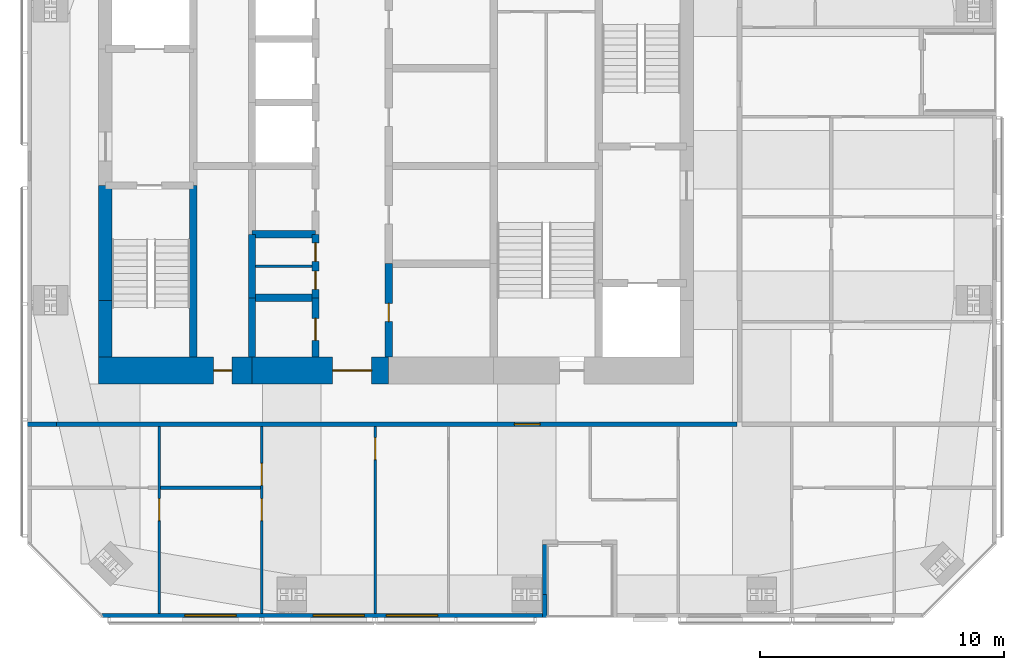
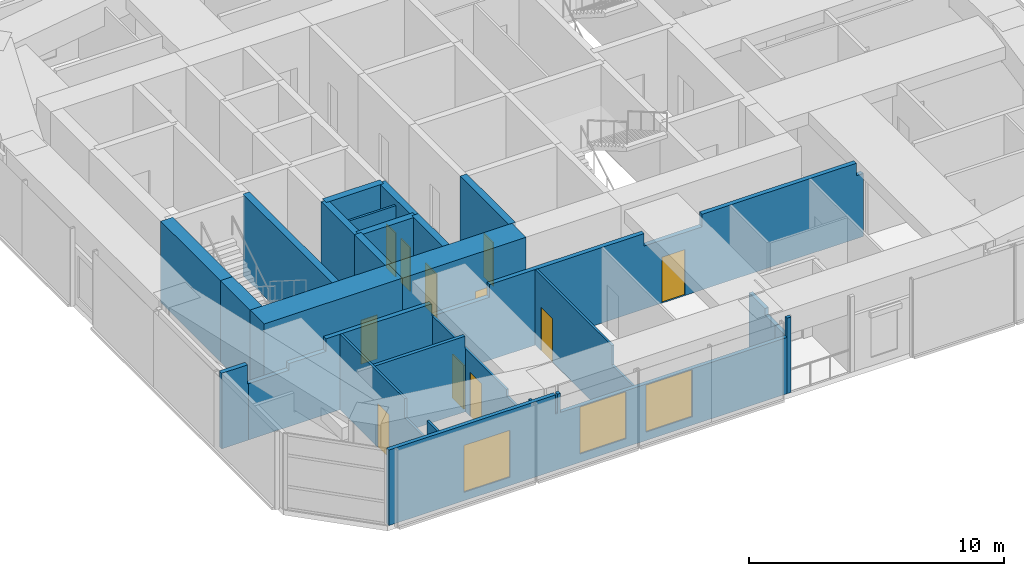
# One storey, part 14 of 20: 22 walls, 11 doors, 3 windows, 14 openings.
"""IFC4 building model written with IfcOpenShell, lengths in metres."""

from ifc_helpers import new_model, si_unit, direction, frame, frame_2d, origin, place, context, subcontext, project, spatial, polyline, rectangle, outline, extrude, material, layer, layer_set, constituent, constituent_set, type_object, element, fill, save


model = new_model("IFC4")

# Units and contexts
model_context = context("Model", 3, precision=1e-05, world=origin(), true_north=direction((0.0, 1.0)))
body_context = subcontext(model_context, "Body", "Model", "MODEL_VIEW")
ifc_project = project(units=[si_unit("LENGTHUNIT", "METRE"), si_unit("AREAUNIT", "SQUARE_METRE"), si_unit("VOLUMEUNIT", "CUBIC_METRE"), si_unit("PLANEANGLEUNIT", "RADIAN"), si_unit("MASSUNIT", "GRAM", prefix="KILO")], contexts=[model_context])

# Site, building, storey
site_placement = place(None, origin())
site = spatial("IfcSite", under=ifc_project, at=site_placement, CompositionType="ELEMENT")
building_placement = place(site_placement, origin())
building = spatial("IfcBuilding", under=site, at=building_placement, Name="Jalousie Tower", CompositionType="ELEMENT")
storey_placement = place(building_placement, frame((0.0, 0.0, 263.85009765625)))
storey = spatial("IfcBuildingStorey", under=building, at=storey_placement, Name="L72", CompositionType="ELEMENT", Elevation=263.85009765625)

# Wall
ifc_material_1 = material(Name="Concrete block ASTM C90", Category="concrete")
ifc_constituent_1 = constituent(ifc_material_1, Name="Body")
ifc_material_2 = material(Name="Render")
ifc_constituent_2 = constituent(ifc_material_2, Name="Finish")
ifc_constituent_set_1 = constituent_set(constituents=[ifc_constituent_1, ifc_constituent_2])
wall_type_1 = type_object("IfcWallType", Name="BATHROOM WALL 150", PredefinedType="PLUMBINGWALL", material=ifc_constituent_set_1)
wall_1_placement = place(storey_placement, frame((22.25, 5.324951171875, 0.0), z_axis=(0.0, 0.0, 1.0), x_axis=(1.0, 0.0, 0.0)))
element("IfcWall", 1, at=wall_1_placement, inside=storey, type_object=wall_type_1, Name="Bathroom Wall 150 L72", PredefinedType="PLUMBINGWALL", context=body_context, shape_type="SweptSolid", body=[
    extrude(outline(polyline([(0.0, 0.0), (4.10009765625, 0.0), (4.10009765625, 3.619873046875), (4.10009765625, 3.02001953125), (4.090087890625, 3.02001953125), (4.090087890625, 3.619873046875), (0.0, 3.619873046875), (0.0, 0.0)])), frame((0.0, 0.074951171875, 0.0), z_axis=(0.0, -1.0, 0.0), x_axis=(1.0, 0.0, 0.0)), (0.0, 0.0, 1.0), 0.14990234375),
])

# Wall, opening, door
ifc_material_3 = material(Name="Concrete f'c 120 MPa", Category="concrete")
ifc_layer_1 = layer(ifc_material_3, 1.10009765625)
ifc_layer_set_1 = layer_set([ifc_layer_1], Name="Concrete f'c 120 MPa")
wall_type_2 = type_object("IfcWallType", Name="CORE WALL 1100", PredefinedType="SHEAR", material=ifc_layer_set_1)
wall_2_placement = place(storey_placement, frame((19.72509765625, 10.125, 0.0), z_axis=(0.0, 0.0, 1.0), x_axis=(1.0, 0.0, 0.0)))
wall_2 = element("IfcWall", 2, at=wall_2_placement, inside=storey, type_object=wall_type_2, Name="Core wall SA L72", PredefinedType="SHEAR", context=body_context, shape_type="SweptSolid", body=[
    extrude(rectangle(XDim=6.27490234375, YDim=1.10009765625, at=frame_2d((3.137451171875, 0.0))), origin(), (0.0, 0.0, 1.0), 3.89990234375),
])
opening_1_placement = place(wall_2_placement, frame((4.699951171875, 0.0, 0.0)))
opening_1 = element("IfcOpeningElement", 3, at=opening_1_placement, cuts=wall_2, Name="Opening D16", PredefinedType="OPENING", context=body_context, shape_type="SweptSolid", body=[
    extrude(rectangle(XDim=0.75, YDim=2.10009765625, at=frame_2d((0.375, 1.050048828125))), frame((0.0, 0.56005859375, 0.0), z_axis=(0.0, -1.0, 0.0), x_axis=(1.0, 0.0, 0.0)), (0.0, 0.0, 1.0), 1.1201171875),
])
ifc_material_4 = material(Name="Steel fire door", Category="steel")
door_type_1 = type_object("IfcDoorType", Name="RISER DOOR 750", OperationType="SINGLE_SWING_LEFT", PredefinedType="DOOR", material=ifc_material_4)
door_1_placement = place(opening_1_placement, origin())
door_1 = element("IfcDoor", 4, at=door_1_placement, inside=storey, type_object=door_type_1, Name="South riser door", OperationType="SINGLE_SWING_RIGHT", OverallHeight=2.10009765625, OverallWidth=0.75, PredefinedType="DOOR", context=body_context, shape_type="SweptSolid", body=[
    extrude(rectangle(XDim=0.75, YDim=2.10009765625, at=frame_2d((0.375, 1.050048828125))), frame((0.0, 0.02490234375, 0.0), z_axis=(0.0, -1.0, 0.0), x_axis=(1.0, 0.0, 0.0)), (0.0, 0.0, 1.0), 0.050048828125),
])
fill(opening_1, door_1)

wall_3_placement = place(storey_placement, frame((26.0, 10.125, 0.0), z_axis=(0.0, 0.0, 1.0), x_axis=(1.0, 0.0, 0.0)))
wall_3 = element("IfcWall", 5, at=wall_3_placement, inside=storey, type_object=wall_type_2, Name="Core wall SB L72", PredefinedType="SHEAR", context=body_context, shape_type="SweptSolid", body=[
    extrude(rectangle(XDim=5.60009765625, YDim=1.10009765625, at=frame_2d((2.800048828125, 0.0))), origin(), (0.0, 0.0, 1.0), 3.89990234375),
])
opening_2_placement = place(wall_3_placement, frame((3.300048828125, 0.0, 0.0)))
opening_2 = element("IfcOpeningElement", 6, at=opening_2_placement, cuts=wall_3, Name="Opening D15", PredefinedType="OPENING", context=body_context, shape_type="SweptSolid", body=[
    extrude(rectangle(XDim=1.60009765625, YDim=2.10009765625, at=frame_2d((0.800048828125, 1.050048828125))), frame((0.0, 0.56005859375, 0.0), z_axis=(0.0, -1.0, 0.0), x_axis=(1.0, 0.0, 0.0)), (0.0, 0.0, 1.0), 1.1201171875),
])
ifc_material_5 = material(Name="Steel fire door", Category="steel")
door_type_2 = type_object("IfcDoorType", Name="LIFT LOBBY DOOR 1600", OperationType="DOUBLE_DOOR_SINGLE_SWING", PredefinedType="DOOR", material=ifc_material_5)
door_2_placement = place(opening_2_placement, origin())
door_2 = element("IfcDoor", 7, at=door_2_placement, inside=storey, type_object=door_type_2, Name="Lift lobby south door", OperationType="DOUBLE_DOOR_SINGLE_SWING", OverallHeight=2.10009765625, OverallWidth=1.60009765625, PredefinedType="DOOR", context=body_context, shape_type="SweptSolid", body=[
    extrude(rectangle(XDim=1.60009765625, YDim=2.10009765625, at=frame_2d((0.800048828125, 1.050048828125))), frame((0.0, 0.02490234375, 0.0), z_axis=(0.0, -1.0, 0.0), x_axis=(1.0, 0.0, 0.0)), (0.0, 0.0, 1.0), 0.050048828125),
])
fill(opening_2, door_2)

# Walls
ifc_material_6 = material(Name="Concrete f'c 120 MPa", Category="concrete")
ifc_layer_2 = layer(ifc_material_6, 0.300048828125)
ifc_layer_set_2 = layer_set([ifc_layer_2], Name="Concrete f'c 120 MPa")
wall_type_3 = type_object("IfcWallType", Name="CORE WALL 300", PredefinedType="SHEAR", material=ifc_layer_set_2)
wall_4_placement = place(storey_placement, frame((23.60009765625, 10.675048828125, 0.0), z_axis=(0.0, 0.0, 1.0), x_axis=(0.0, 1.0, 0.0)))
element("IfcWall", 8, at=wall_4_placement, inside=storey, type_object=wall_type_3, Name="Core wall X23.6A L72", PredefinedType="SHEAR", context=body_context, shape_type="SweptSolid", body=[
    extrude(rectangle(XDim=7.02490234375, YDim=0.300048828125, at=frame_2d((3.512451171875, 0.0))), origin(), (0.0, 0.0, 1.0), 3.89990234375),
])
wall_5_placement = place(storey_placement, frame((26.0, 10.675048828125, 0.0), z_axis=(0.0, 0.0, 1.0), x_axis=(0.0, 1.0, 0.0)))
element("IfcWall", 9, at=wall_5_placement, inside=storey, type_object=wall_type_3, Name="Core wall X26A L72", PredefinedType="SHEAR", context=body_context, shape_type="SweptSolid", body=[
    extrude(rectangle(XDim=2.425048828125, YDim=0.300048828125, at=frame_2d((1.21240234375, 0.0))), origin(), (0.0, 0.0, 1.0), 3.89990234375),
])
wall_6_placement = place(storey_placement, frame((26.0, 13.10009765625, 0.0), z_axis=(0.0, 0.0, 1.0), x_axis=(0.0, 1.0, 0.0)))
element("IfcWall", 10, at=wall_6_placement, inside=storey, type_object=wall_type_3, Name="Core wall X26B L72", PredefinedType="SHEAR", context=body_context, shape_type="SweptSolid", body=[
    extrude(rectangle(XDim=2.599853515625, YDim=0.300048828125, at=frame_2d((1.2998046875, 0.0))), origin(), (0.0, 0.0, 1.0), 3.89990234375),
])

# Wall, opening, door
wall_7_placement = place(storey_placement, frame((28.60009765625, 10.675048828125, 0.0), z_axis=(0.0, 0.0, 1.0), x_axis=(0.0, 1.0, 0.0)))
wall_7 = element("IfcWall", 11, at=wall_7_placement, inside=storey, type_object=wall_type_3, Name="Core wall X28.6A L72", PredefinedType="SHEAR", context=body_context, shape_type="SweptSolid", body=[
    extrude(rectangle(XDim=2.425048828125, YDim=0.300048828125, at=frame_2d((1.21240234375, 0.0))), origin(), (0.0, 0.0, 1.0), 3.89990234375),
])
opening_3_placement = place(wall_7_placement, frame((0.6875, 0.0, 0.0)))
opening_3 = element("IfcOpeningElement", 12, at=opening_3_placement, cuts=wall_7, Name="Opening D24", PredefinedType="OPENING", context=body_context, shape_type="SweptSolid", body=[
    extrude(rectangle(XDim=0.89990234375, YDim=2.10009765625, at=frame_2d((0.449951171875, 1.050048828125))), frame((0.0, 0.159912109375, 0.0), z_axis=(0.0, -1.0, 0.0), x_axis=(1.0, 0.0, 0.0)), (0.0, 0.0, 1.0), 0.320068359375),
])
ifc_material_7 = material(Name="Steel fire door", Category="steel")
door_type_3 = type_object("IfcDoorType", Name="CORE ROOM DOOR 900", OperationType="SINGLE_SWING_LEFT", PredefinedType="DOOR", material=ifc_material_7)
door_3_placement = place(opening_3_placement, origin())
door_3 = element("IfcDoor", 13, at=door_3_placement, inside=storey, type_object=door_type_3, Name="Housekeeping store door", OperationType="SINGLE_SWING_RIGHT", OverallHeight=2.10009765625, OverallWidth=0.89990234375, PredefinedType="DOOR", context=body_context, shape_type="SweptSolid", body=[
    extrude(rectangle(XDim=0.89990234375, YDim=2.10009765625, at=frame_2d((0.449951171875, 1.050048828125))), frame((0.0, 0.02490234375, 0.0), z_axis=(0.0, -1.0, 0.0), x_axis=(1.0, 0.0, 0.0)), (0.0, 0.0, 1.0), 0.050048828125),
])
fill(opening_3, door_3)

# Wall, openings, doors
wall_8_placement = place(storey_placement, frame((28.60009765625, 13.10009765625, 0.0), z_axis=(0.0, 0.0, 1.0), x_axis=(0.0, 1.0, 0.0)))
wall_8 = element("IfcWall", 14, at=wall_8_placement, inside=storey, type_object=wall_type_3, Name="Core wall X28.6B L72", PredefinedType="SHEAR", context=body_context, shape_type="SweptSolid", body=[
    extrude(rectangle(XDim=2.599853515625, YDim=0.300048828125, at=frame_2d((1.2998046875, 0.0))), origin(), (0.0, 0.0, 1.0), 3.89990234375),
])
opening_4_placement = place(wall_8_placement, frame((0.35009765625, 0.0, 0.0)))
opening_4 = element("IfcOpeningElement", 15, at=opening_4_placement, cuts=wall_8, Name="Opening D27", PredefinedType="OPENING", context=body_context, shape_type="SweptSolid", body=[
    extrude(rectangle(XDim=0.75, YDim=2.10009765625, at=frame_2d((0.375, 1.050048828125))), frame((0.0, 0.159912109375, 0.0), z_axis=(0.0, -1.0, 0.0), x_axis=(1.0, 0.0, 0.0)), (0.0, 0.0, 1.0), 0.320068359375),
])
opening_5_placement = place(wall_8_placement, frame((1.5, 0.0, 0.0)))
opening_5 = element("IfcOpeningElement", 16, at=opening_5_placement, cuts=wall_8, Name="Opening D27", PredefinedType="OPENING", context=body_context, shape_type="SweptSolid", body=[
    extrude(rectangle(XDim=0.75, YDim=2.10009765625, at=frame_2d((0.375, 1.050048828125))), frame((0.0, 0.159912109375, 0.0), z_axis=(0.0, -1.0, 0.0), x_axis=(1.0, 0.0, 0.0)), (0.0, 0.0, 1.0), 0.320068359375),
])
ifc_material_8 = material(Name="Steel fire door", Category="steel")
door_type_4 = type_object("IfcDoorType", Name="CORE ROOM DOOR 750", OperationType="SINGLE_SWING_LEFT", PredefinedType="DOOR", material=ifc_material_8)
door_4_placement = place(opening_4_placement, origin())
door_4 = element("IfcDoor", 17, at=door_4_placement, inside=storey, type_object=door_type_4, Name="Staff WC door", OperationType="SINGLE_SWING_RIGHT", OverallHeight=2.10009765625, OverallWidth=0.75, PredefinedType="DOOR", context=body_context, shape_type="SweptSolid", body=[
    extrude(rectangle(XDim=0.75, YDim=2.10009765625, at=frame_2d((0.375, 1.050048828125))), frame((0.0, 0.02490234375, 0.0), z_axis=(0.0, -1.0, 0.0), x_axis=(1.0, 0.0, 0.0)), (0.0, 0.0, 1.0), 0.050048828125),
])
fill(opening_4, door_4)
door_5_placement = place(opening_5_placement, origin())
door_5 = element("IfcDoor", 18, at=door_5_placement, inside=storey, type_object=door_type_4, Name="Store door", OperationType="SINGLE_SWING_LEFT", OverallHeight=2.10009765625, OverallWidth=0.75, PredefinedType="DOOR", context=body_context, shape_type="SweptSolid", body=[
    extrude(rectangle(XDim=0.75, YDim=2.10009765625, at=frame_2d((0.375, 1.050048828125))), frame((0.0, 0.02490234375, 0.0), z_axis=(0.0, -1.0, 0.0), x_axis=(1.0, 0.0, 0.0)), (0.0, 0.0, 1.0), 0.050048828125),
])
fill(opening_5, door_5)

# Wall, opening, door
wall_9_placement = place(storey_placement, frame((31.60009765625, 10.675048828125, 0.0), z_axis=(0.0, 0.0, 1.0), x_axis=(0.0, 1.0, 0.0)))
wall_9 = element("IfcWall", 19, at=wall_9_placement, inside=storey, type_object=wall_type_3, Name="Core wall X31.6A L72", PredefinedType="SHEAR", context=body_context, shape_type="SweptSolid", body=[
    extrude(rectangle(XDim=3.824951171875, YDim=0.300048828125, at=frame_2d((1.91259765625, 0.0))), origin(), (0.0, 0.0, 1.0), 3.89990234375),
])
opening_6_placement = place(wall_9_placement, frame((1.449951171875, 0.0, 0.0)))
opening_6 = element("IfcOpeningElement", 20, at=opening_6_placement, cuts=wall_9, Name="Opening D16", PredefinedType="OPENING", context=body_context, shape_type="SweptSolid", body=[
    extrude(rectangle(XDim=0.75, YDim=2.10009765625, at=frame_2d((0.375, 1.050048828125))), frame((0.0, 0.159912109375, 0.0), z_axis=(0.0, -1.0, 0.0), x_axis=(1.0, 0.0, 0.0)), (0.0, 0.0, 1.0), 0.320068359375),
])
door_6_placement = place(opening_6_placement, frame((0.75, 0.0, 0.0), z_axis=(0.0, 0.0, 1.0), x_axis=(-1.0, 0.0, 0.0)))
door_6 = element("IfcDoor", 21, at=door_6_placement, inside=storey, type_object=door_type_1, Name="Refuse Room door", OperationType="SINGLE_SWING_RIGHT", OverallHeight=2.10009765625, OverallWidth=0.75, PredefinedType="DOOR", context=body_context, shape_type="SweptSolid", body=[
    extrude(rectangle(XDim=0.75, YDim=2.10009765625, at=frame_2d((0.375, 1.050048828125))), frame((0.0, 0.02490234375, 0.0), z_axis=(0.0, -1.0, 0.0), x_axis=(1.0, 0.0, 0.0)), (0.0, 0.0, 1.0), 0.050048828125),
])
fill(opening_6, door_6)

# Walls
for number, where, z_axis, x_axis, name in (
    (22, (26.0, 13.10009765625, 0.0), (0.0, 0.0, 1.0), (1.0, 0.0, 0.0), "Core wall Y26-13.1 L72"),
    (23, (26.0, 15.699951171875, 0.0), (0.0, 0.0, 1.0), (1.0, 0.0, 0.0), "Core wall Y26-15.7 L72"),
):
    element("IfcWall", number, at=place(storey_placement, frame(where, z_axis=z_axis, x_axis=x_axis)), inside=storey, type_object=wall_type_3, Name=name, PredefinedType="SHEAR", context=body_context, shape_type="SweptSolid", body=[
        extrude(rectangle(XDim=2.60009765625, YDim=0.300048828125, at=frame_2d((1.300048828125, 0.0))), origin(), (0.0, 0.0, 1.0), 3.89990234375),
    ])
ifc_material_9 = material(Name="Concrete f'c 120 MPa", Category="concrete")
ifc_layer_3 = layer(ifc_material_9, 0.550048828125)
ifc_layer_set_3 = layer_set([ifc_layer_3], Name="Concrete f'c 120 MPa")
wall_type_4 = type_object("IfcWallType", Name="CORE WALL 550", PredefinedType="SHEAR", material=ifc_layer_set_3)
wall_10_placement = place(storey_placement, frame((20.0, 17.699951171875, 0.0), z_axis=(0.0, 0.0, 1.0), x_axis=(0.0, -1.0, 0.0)))
element("IfcWall", 24, at=wall_10_placement, inside=storey, type_object=wall_type_4, Name="Core wall WC L72", PredefinedType="SHEAR", context=body_context, shape_type="SweptSolid", body=[
    extrude(rectangle(XDim=4.699951171875, YDim=0.550048828125, at=frame_2d((2.35009765625, 0.0))), origin(), (0.0, 0.0, 1.0), 3.89990234375),
])
wall_11_placement = place(storey_placement, frame((20.0, 13.0, 0.0), z_axis=(0.0, 0.0, 1.0), x_axis=(0.0, -1.0, 0.0)))
element("IfcWall", 25, at=wall_11_placement, inside=storey, type_object=wall_type_4, Name="Core wall WD L72", PredefinedType="SHEAR", context=body_context, shape_type="SweptSolid", body=[
    extrude(rectangle(XDim=2.324951171875, YDim=0.550048828125, at=frame_2d((1.16259765625, 0.0))), origin(), (0.0, 0.0, 1.0), 3.89990234375),
])

# Wall, opening, door
ifc_material_10 = material(Name="Concrete block ASTM C90", Category="concrete")
ifc_constituent_3 = constituent(ifc_material_10, Name="Body")
ifc_material_11 = material(Name="Render")
ifc_constituent_4 = constituent(ifc_material_11, Name="Finish")
ifc_constituent_set_2 = constituent_set(constituents=[ifc_constituent_3, ifc_constituent_4])
wall_type_5 = type_object("IfcWallType", Name="CORRIDOR WALL 200", PredefinedType="PARTITIONING", material=ifc_constituent_set_2)
wall_12_placement = place(storey_placement, frame((18.0, 7.925048828125, 0.0), z_axis=(0.0, 0.0, 1.0), x_axis=(1.0, 0.0, 0.0)))
wall_12 = element("IfcWall", 26, at=wall_12_placement, inside=storey, type_object=wall_type_5, Name="Corridor Wall 200 L72", PredefinedType="PARTITIONING", context=body_context, shape_type="SweptSolid", body=[
    extrude(outline(polyline([(0.0, 0.0), (27.875, 0.0), (27.875, 3.619873046875), (27.875, 3.02001953125), (27.56494140625, 3.02001953125), (27.56494140625, 3.619873046875), (20.56005859375, 3.619873046875), (20.56005859375, 3.02001953125), (17.93994140625, 3.02001953125), (17.93994140625, 3.619873046875), (10.93505859375, 3.619873046875), (10.93505859375, 3.02001953125), (8.31494140625, 3.02001953125), (8.31494140625, 3.619873046875), (3.51708984375, 3.619873046875), (3.51708984375, 3.02001953125), (1.838623046875, 3.02001953125), (1.838623046875, 2.699951171875), (0.0, 2.699951171875), (0.0, 3.619873046875), (0.0, 0.0)])), frame((0.0, 0.10009765625, 0.0), z_axis=(0.0, -1.0, 0.0), x_axis=(1.0, 0.0, 0.0)), (0.0, 0.0, 1.0), 0.199951171875),
])
opening_7_placement = place(wall_12_placement, frame((18.75, 0.0, 0.0)))
opening_7 = element("IfcOpeningElement", 27, at=opening_7_placement, cuts=wall_12, Name="Opening D1", PredefinedType="OPENING", context=body_context, shape_type="SweptSolid", body=[
    extrude(rectangle(XDim=1.050048828125, YDim=2.199951171875, at=frame_2d((0.52490234375, 1.10009765625))), frame((0.0, 0.10986328125, 0.0), z_axis=(0.0, -1.0, 0.0), x_axis=(1.0, 0.0, 0.0)), (0.0, 0.0, 1.0), 0.219970703125),
])
ifc_material_12 = material(Name="Timber fire door", Category="wood")
door_type_5 = type_object("IfcDoorType", Name="APARTMENT ENTRANCE DOOR 1050", OperationType="SINGLE_SWING_LEFT", PredefinedType="DOOR", material=ifc_material_12)
door_7_placement = place(opening_7_placement, frame((1.050048828125, 0.0, 0.0), z_axis=(0.0, 0.0, 1.0), x_axis=(-1.0, 0.0, 0.0)))
door_7 = element("IfcDoor", 28, at=door_7_placement, inside=storey, type_object=door_type_5, Name="Apartment 7201 entrance", OperationType="SINGLE_SWING_LEFT", OverallHeight=2.199951171875, OverallWidth=1.050048828125, PredefinedType="DOOR", context=body_context, shape_type="SweptSolid", body=[
    extrude(rectangle(XDim=1.050048828125, YDim=2.199951171875, at=frame_2d((0.52490234375, 1.10009765625))), frame((0.0, 0.02490234375, 0.0), z_axis=(0.0, -1.0, 0.0), x_axis=(1.0, 0.0, 0.0)), (0.0, 0.0, 1.0), 0.050048828125),
])
fill(opening_7, door_7)

# Wall, openings, windows
ifc_material_13 = material(Name="Concrete f'c 40 MPa", Category="concrete")
ifc_constituent_5 = constituent(ifc_material_13, Name="Body")
ifc_material_14 = material(Name="Render, pastel sky blue")
ifc_constituent_6 = constituent(ifc_material_14, Name="Finish")
ifc_constituent_set_3 = constituent_set(constituents=[ifc_constituent_5, ifc_constituent_6])
wall_type_6 = type_object("IfcWallType", Name="EXTERNAL WALL 175 SKY BLUE RENDER", PredefinedType="SOLIDWALL", material=ifc_constituent_set_3)
wall_13_placement = place(storey_placement, frame((19.851318359375, 0.08740234375, 0.0), z_axis=(0.0, 0.0, 1.0), x_axis=(1.0, 0.0, 0.0)))
wall_13 = element("IfcWall", 29, at=wall_13_placement, inside=storey, type_object=wall_type_6, Name="External Wall 175 Sky Blue Render L72", PredefinedType="SOLIDWALL", context=body_context, shape_type="SweptSolid", body=[
    extrude(outline(polyline([(0.0, 0.0), (18.048583984375, 0.0), (18.048583984375, 2.699951171875), (7.773681640625, 2.699951171875), (7.773681640625, 3.619873046875), (7.642333984375, 3.619873046875), (7.642333984375, 2.699951171875), (7.558837890625, 2.699951171875), (7.558837890625, 3.619873046875), (0.0, 3.619873046875), (0.0, 0.0)])), frame((0.0, 0.08740234375, 0.0), z_axis=(0.0, -1.0, 0.0), x_axis=(1.0, 0.0, 0.0)), (0.0, 0.0, 1.0), 0.175048828125),
])
opening_8_placement = place(wall_13_placement, frame((3.398681640625, 0.0, 0.39990234375)))
opening_8 = element("IfcOpeningElement", 30, at=opening_8_placement, cuts=wall_13, Name="Opening W-BEDPH225", PredefinedType="OPENING", context=body_context, shape_type="SweptSolid", body=[
    extrude(rectangle(XDim=2.10009765625, YDim=2.25, at=frame_2d((1.050048828125, 1.125))), frame((0.0, 0.097412109375, 0.0), z_axis=(0.0, -1.0, 0.0), x_axis=(1.0, 0.0, 0.0)), (0.0, 0.0, 1.0), 0.195068359375),
])
opening_9_placement = place(wall_13_placement, frame((8.655029296875, 0.0, 0.39990234375)))
opening_9 = element("IfcOpeningElement", 31, at=opening_9_placement, cuts=wall_13, Name="Opening W-BEDPH225", PredefinedType="OPENING", context=body_context, shape_type="SweptSolid", body=[
    extrude(rectangle(XDim=2.10009765625, YDim=2.25, at=frame_2d((1.050048828125, 1.125))), frame((0.0, 0.097412109375, 0.0), z_axis=(0.0, -1.0, 0.0), x_axis=(1.0, 0.0, 0.0)), (0.0, 0.0, 1.0), 0.195068359375),
])
opening_10_placement = place(wall_13_placement, frame((11.648681640625, 0.0, 0.39990234375)))
opening_10 = element("IfcOpeningElement", 32, at=opening_10_placement, cuts=wall_13, Name="Opening W-BEDPH225", PredefinedType="OPENING", context=body_context, shape_type="SweptSolid", body=[
    extrude(rectangle(XDim=2.10009765625, YDim=2.25, at=frame_2d((1.050048828125, 1.125))), frame((0.0, 0.097412109375, 0.0), z_axis=(0.0, -1.0, 0.0), x_axis=(1.0, 0.0, 0.0)), (0.0, 0.0, 1.0), 0.195068359375),
])
ifc_material_15 = material(Name="Aluminium frame, impact-rated glazing", Category="aluminium")
window_type = type_object("IfcWindowType", Name="WINDOW BEDPH 2100x2250", PartitioningType="DOUBLE_PANEL_VERTICAL", PredefinedType="WINDOW", material=ifc_material_15)
window_1_placement = place(opening_8_placement, origin())
window_1 = element("IfcWindow", 33, at=window_1_placement, inside=storey, type_object=window_type, Name="Apartment 7201 bedroom 2 window", OverallHeight=2.25, OverallWidth=2.10009765625, PartitioningType="SINGLE_PANEL", PredefinedType="WINDOW", context=body_context, shape_type="SweptSolid", body=[
    extrude(rectangle(XDim=2.10009765625, YDim=2.25, at=frame_2d((1.050048828125, 1.125))), frame((0.0, 0.030029296875, 0.0), z_axis=(0.0, -1.0, 0.0), x_axis=(1.0, 0.0, 0.0)), (0.0, 0.0, 1.0), 0.06005859375),
])
fill(opening_8, window_1)
window_2_placement = place(opening_9_placement, origin())
window_2 = element("IfcWindow", 34, at=window_2_placement, inside=storey, type_object=window_type, Name="Apartment 7201 study window", OverallHeight=2.25, OverallWidth=2.10009765625, PartitioningType="SINGLE_PANEL", PredefinedType="WINDOW", context=body_context, shape_type="SweptSolid", body=[
    extrude(rectangle(XDim=2.10009765625, YDim=2.25, at=frame_2d((1.050048828125, 1.125))), frame((0.0, 0.030029296875, 0.0), z_axis=(0.0, -1.0, 0.0), x_axis=(1.0, 0.0, 0.0)), (0.0, 0.0, 1.0), 0.06005859375),
])
fill(opening_9, window_2)
window_3_placement = place(opening_10_placement, origin())
window_3 = element("IfcWindow", 35, at=window_3_placement, inside=storey, type_object=window_type, Name="Apartment 7201 home office window", OverallHeight=2.25, OverallWidth=2.10009765625, PartitioningType="SINGLE_PANEL", PredefinedType="WINDOW", context=body_context, shape_type="SweptSolid", body=[
    extrude(rectangle(XDim=2.10009765625, YDim=2.25, at=frame_2d((1.050048828125, 1.125))), frame((0.0, 0.030029296875, 0.0), z_axis=(0.0, -1.0, 0.0), x_axis=(1.0, 0.0, 0.0)), (0.0, 0.0, 1.0), 0.06005859375),
])
fill(opening_10, window_3)

# Walls
wall_14_placement = place(storey_placement, frame((37.987548828125, 0.0, 0.0), z_axis=(0.0, 0.0, 1.0), x_axis=(0.0, 1.0, 0.0)))
element("IfcWall", 36, at=wall_14_placement, inside=storey, type_object=wall_type_6, Name="External Wall 175 Sky Blue Render L72-A", PredefinedType="SOLIDWALL", context=body_context, shape_type="SweptSolid", body=[
    extrude(outline(polyline([(0.0, 0.0), (0.949951171875, 0.0), (0.949951171875, 2.699951171875), (0.14990234375, 2.699951171875), (0.14990234375, 3.619873046875), (0.0, 3.619873046875), (0.0, 0.0)])), frame((0.0, 0.08740234375, 0.0), z_axis=(0.0, -1.0, 0.0), x_axis=(1.0, 0.0, 0.0)), (0.0, 0.0, 1.0), 0.175048828125),
])
wall_15_placement = place(storey_placement, frame((37.987548828125, 0.949951171875, 0.0), z_axis=(0.0, 0.0, 1.0), x_axis=(0.0, 1.0, 0.0)))
element("IfcWall", 37, at=wall_15_placement, inside=storey, type_object=wall_type_6, Name="External Wall 175 Sky Blue Render L72-B", PredefinedType="SOLIDWALL", context=body_context, shape_type="SweptSolid", body=[
    extrude(outline(polyline([(0.0, 0.0), (2.050048828125, 0.0), (2.050048828125, 3.02001953125), (0.800048828125, 3.02001953125), (0.800048828125, 2.699951171875), (0.0, 2.699951171875), (0.0, 0.0)])), frame((0.0, 0.08740234375, 0.0), z_axis=(0.0, -1.0, 0.0), x_axis=(1.0, 0.0, 0.0)), (0.0, 0.0, 1.0), 0.175048828125),
])

# Wall, opening, door
ifc_material_16 = material(Name="Gypsum board", Category="gypsum")
ifc_constituent_7 = constituent(ifc_material_16, Name="Body")
ifc_material_17 = material(Name="Light-gauge steel studs ASTM A653 SS Grade 33", Category="steel")
ifc_constituent_8 = constituent(ifc_material_17, Name="Framing")
ifc_constituent_set_4 = constituent_set(constituents=[ifc_constituent_7, ifc_constituent_8])
wall_type_7 = type_object("IfcWallType", Name="PARTITION 100", PredefinedType="PARTITIONING", material=ifc_constituent_set_4)
wall_16_placement = place(storey_placement, frame((22.199951171875, 0.175048828125, 0.0), z_axis=(0.0, 0.0, 1.0), x_axis=(0.0, 1.0, 0.0)))
wall_16 = element("IfcWall", 38, at=wall_16_placement, inside=storey, type_object=wall_type_7, Name="Partition 100 L72", PredefinedType="PARTITIONING", context=body_context, shape_type="SweptSolid", body=[
    extrude(outline(polyline([(0.0, 0.0), (7.64990234375, 0.0), (7.64990234375, 3.619873046875), (2.566650390625, 3.619873046875), (2.566650390625, 2.699951171875), (0.822021484375, 2.699951171875), (0.822021484375, 3.619873046875), (0.0, 3.619873046875), (0.0, 0.0)])), frame((0.0, 0.050048828125, 0.0), z_axis=(0.0, -1.0, 0.0), x_axis=(1.0, 0.0, 0.0)), (0.0, 0.0, 1.0), 0.10009765625),
])
opening_11_placement = place(wall_16_placement, frame((3.800048828125, 0.0, 0.0)))
opening_11 = element("IfcOpeningElement", 39, at=opening_11_placement, cuts=wall_16, Name="Opening D2", PredefinedType="OPENING", context=body_context, shape_type="SweptSolid", body=[
    extrude(rectangle(XDim=0.89990234375, YDim=2.10009765625, at=frame_2d((0.449951171875, 1.050048828125))), frame((0.0, 0.06005859375, 0.0), z_axis=(0.0, -1.0, 0.0), x_axis=(1.0, 0.0, 0.0)), (0.0, 0.0, 1.0), 0.1201171875),
])
ifc_material_18 = material(Name="Timber door", Category="wood")
door_type_6 = type_object("IfcDoorType", Name="BEDROOM DOOR 900", OperationType="SINGLE_SWING_LEFT", PredefinedType="DOOR", material=ifc_material_18)
door_8_placement = place(opening_11_placement, origin())
door_8 = element("IfcDoor", 40, at=door_8_placement, inside=storey, type_object=door_type_6, Name="Apartment 7201 bedroom 1 door", OperationType="SINGLE_SWING_RIGHT", OverallHeight=2.10009765625, OverallWidth=0.89990234375, PredefinedType="DOOR", context=body_context, shape_type="SweptSolid", body=[
    extrude(rectangle(XDim=0.89990234375, YDim=2.10009765625, at=frame_2d((0.449951171875, 1.050048828125))), frame((0.0, 0.02490234375, 0.0), z_axis=(0.0, -1.0, 0.0), x_axis=(1.0, 0.0, 0.0)), (0.0, 0.0, 1.0), 0.050048828125),
])
fill(opening_11, door_8)

# Wall, openings, doors
wall_17_placement = place(storey_placement, frame((26.39990234375, 0.175048828125, 0.0), z_axis=(0.0, 0.0, 1.0), x_axis=(0.0, 1.0, 0.0)))
wall_17 = element("IfcWall", 41, at=wall_17_placement, inside=storey, type_object=wall_type_7, Name="Partition 100 L72", PredefinedType="PARTITIONING", context=body_context, shape_type="SweptSolid", body=[
    extrude(outline(polyline([(0.0, 0.0), (7.64990234375, 0.0), (7.64990234375, 3.619873046875), (7.64990234375, 3.02001953125), (1.85498046875, 3.02001953125), (1.85498046875, 2.699951171875), (0.1103515625, 2.699951171875), (0.1103515625, 3.619873046875), (0.0, 3.619873046875), (0.0, 0.0)])), frame((0.0, 0.050048828125, 0.0), z_axis=(0.0, -1.0, 0.0), x_axis=(1.0, 0.0, 0.0)), (0.0, 0.0, 1.0), 0.10009765625),
])
opening_12_placement = place(wall_17_placement, frame((3.800048828125, 0.0, 0.0)))
opening_12 = element("IfcOpeningElement", 42, at=opening_12_placement, cuts=wall_17, Name="Opening D2", PredefinedType="OPENING", context=body_context, shape_type="SweptSolid", body=[
    extrude(rectangle(XDim=0.89990234375, YDim=2.10009765625, at=frame_2d((0.449951171875, 1.050048828125))), frame((0.0, 0.06005859375, 0.0), z_axis=(0.0, -1.0, 0.0), x_axis=(1.0, 0.0, 0.0)), (0.0, 0.0, 1.0), 0.1201171875),
])
opening_13_placement = place(wall_17_placement, frame((5.25, 0.0, 0.0)))
opening_13 = element("IfcOpeningElement", 43, at=opening_13_placement, cuts=wall_17, Name="Opening D7", PredefinedType="OPENING", context=body_context, shape_type="SweptSolid", body=[
    extrude(rectangle(XDim=0.89990234375, YDim=2.10009765625, at=frame_2d((0.449951171875, 1.050048828125))), frame((0.0, 0.06005859375, 0.0), z_axis=(0.0, -1.0, 0.0), x_axis=(1.0, 0.0, 0.0)), (0.0, 0.0, 1.0), 0.1201171875),
])
door_9_placement = place(opening_12_placement, frame((0.89990234375, 0.0, 0.0), z_axis=(0.0, 0.0, 1.0), x_axis=(-1.0, 0.0, 0.0)))
door_9 = element("IfcDoor", 44, at=door_9_placement, inside=storey, type_object=door_type_6, Name="Apartment 7201 bedroom 2 door", OperationType="SINGLE_SWING_LEFT", OverallHeight=2.10009765625, OverallWidth=0.89990234375, PredefinedType="DOOR", context=body_context, shape_type="SweptSolid", body=[
    extrude(rectangle(XDim=0.89990234375, YDim=2.10009765625, at=frame_2d((0.449951171875, 1.050048828125))), frame((0.0, 0.02490234375, 0.0), z_axis=(0.0, -1.0, 0.0), x_axis=(1.0, 0.0, 0.0)), (0.0, 0.0, 1.0), 0.050048828125),
])
fill(opening_12, door_9)
ifc_material_19 = material(Name="Timber door", Category="wood")
door_type_7 = type_object("IfcDoorType", Name="INTERNAL DOOR 900", OperationType="SINGLE_SWING_LEFT", PredefinedType="DOOR", material=ifc_material_19)
door_10_placement = place(opening_13_placement, origin())
door_10 = element("IfcDoor", 45, at=door_10_placement, inside=storey, type_object=door_type_7, Name="Apartment 7201 bathroom door", OperationType="SINGLE_SWING_LEFT", OverallHeight=2.10009765625, OverallWidth=0.89990234375, PredefinedType="DOOR", context=body_context, shape_type="SweptSolid", body=[
    extrude(rectangle(XDim=0.89990234375, YDim=2.10009765625, at=frame_2d((0.449951171875, 1.050048828125))), frame((0.0, 0.02490234375, 0.0), z_axis=(0.0, -1.0, 0.0), x_axis=(1.0, 0.0, 0.0)), (0.0, 0.0, 1.0), 0.050048828125),
])
fill(opening_13, door_10)

# Wall, opening, door
wall_18_placement = place(storey_placement, frame((31.050048828125, 0.175048828125, 0.0), z_axis=(0.0, 0.0, 1.0), x_axis=(0.0, 1.0, 0.0)))
wall_18 = element("IfcWall", 46, at=wall_18_placement, inside=storey, type_object=wall_type_7, Name="Partition 100 L72", PredefinedType="PARTITIONING", context=body_context, shape_type="SweptSolid", body=[
    extrude(outline(polyline([(0.0, 0.0), (7.64990234375, 0.0), (7.64990234375, 3.619873046875), (1.635009765625, 3.619873046875), (1.635009765625, 2.699951171875), (0.0, 2.699951171875), (0.0, 3.619873046875), (0.0, 0.0)])), frame((0.0, 0.050048828125, 0.0), z_axis=(0.0, -1.0, 0.0), x_axis=(1.0, 0.0, 0.0)), (0.0, 0.0, 1.0), 0.10009765625),
])
opening_14_placement = place(wall_18_placement, frame((6.300048828125, 0.0, 0.0)))
opening_14 = element("IfcOpeningElement", 47, at=opening_14_placement, cuts=wall_18, Name="Opening D2", PredefinedType="OPENING", context=body_context, shape_type="SweptSolid", body=[
    extrude(rectangle(XDim=0.89990234375, YDim=2.10009765625, at=frame_2d((0.449951171875, 1.050048828125))), frame((0.0, 0.06005859375, 0.0), z_axis=(0.0, -1.0, 0.0), x_axis=(1.0, 0.0, 0.0)), (0.0, 0.0, 1.0), 0.1201171875),
])
door_11_placement = place(opening_14_placement, origin())
door_11 = element("IfcDoor", 48, at=door_11_placement, inside=storey, type_object=door_type_6, Name="Apartment 7201 study door", OperationType="SINGLE_SWING_RIGHT", OverallHeight=2.10009765625, OverallWidth=0.89990234375, PredefinedType="DOOR", context=body_context, shape_type="SweptSolid", body=[
    extrude(rectangle(XDim=0.89990234375, YDim=2.10009765625, at=frame_2d((0.449951171875, 1.050048828125))), frame((0.0, 0.02490234375, 0.0), z_axis=(0.0, -1.0, 0.0), x_axis=(1.0, 0.0, 0.0)), (0.0, 0.0, 1.0), 0.050048828125),
])
fill(opening_14, door_11)

# Walls
wall_19_placement = place(storey_placement, frame((26.14990234375, 14.39990234375, 0.0), z_axis=(0.0, 0.0, 1.0), x_axis=(1.0, 0.0, 0.0)))
element("IfcWall", 49, at=wall_19_placement, inside=storey, type_object=wall_type_7, Name="Partition 100 L72", PredefinedType="PARTITIONING", context=body_context, shape_type="SweptSolid", body=[
    extrude(rectangle(XDim=2.300048828125, YDim=0.10009765625, at=frame_2d((1.14990234375, 0.0))), origin(), (0.0, 0.0, 1.0), 3.619873046875),
])
ifc_material_20 = material(Name="Concrete block ASTM C90", Category="concrete")
ifc_constituent_9 = constituent(ifc_material_20, Name="Body")
ifc_material_21 = material(Name="Render")
ifc_constituent_10 = constituent(ifc_material_21, Name="Finish")
ifc_constituent_set_5 = constituent_set(constituents=[ifc_constituent_9, ifc_constituent_10])
wall_type_8 = type_object("IfcWallType", Name="PARTY WALL 200", PredefinedType="PARTITIONING", material=ifc_constituent_set_5)
wall_20_placement = place(storey_placement, frame((16.800048828125, 7.925048828125, 0.0), z_axis=(0.0, 0.0, 1.0), x_axis=(1.0, 0.0, 0.0)))
element("IfcWall", 50, at=wall_20_placement, inside=storey, type_object=wall_type_8, Name="Party Wall 200 L72", PredefinedType="PARTITIONING", context=body_context, shape_type="SweptSolid", body=[
    extrude(outline(polyline([(0.0, 0.0), (1.199951171875, 0.0), (1.199951171875, 3.619873046875), (1.199951171875, 2.699951171875), (1.172119140625, 2.699951171875), (1.172119140625, 3.619873046875), (0.0, 3.619873046875), (0.0, 0.0)])), frame((0.0, 0.10009765625, 0.0), z_axis=(0.0, -1.0, 0.0), x_axis=(1.0, 0.0, 0.0)), (0.0, 0.0, 1.0), 0.199951171875),
])

save(model, "model.ifc")
